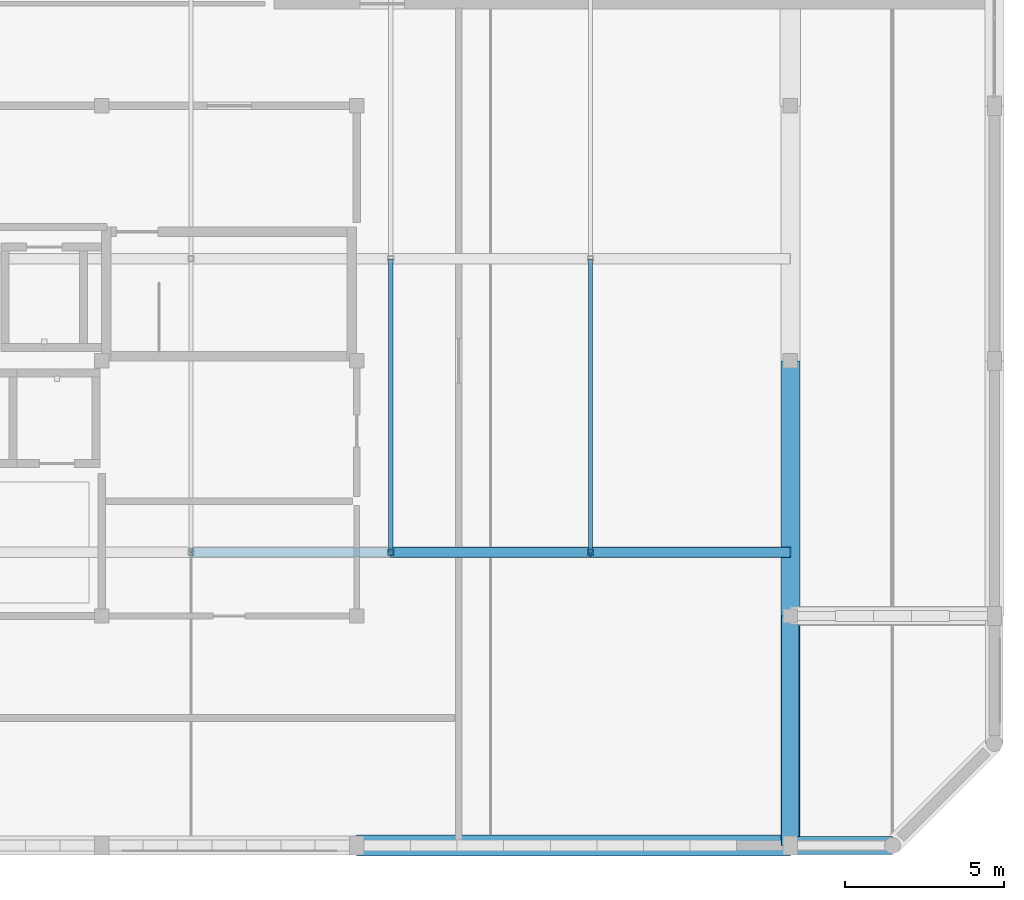
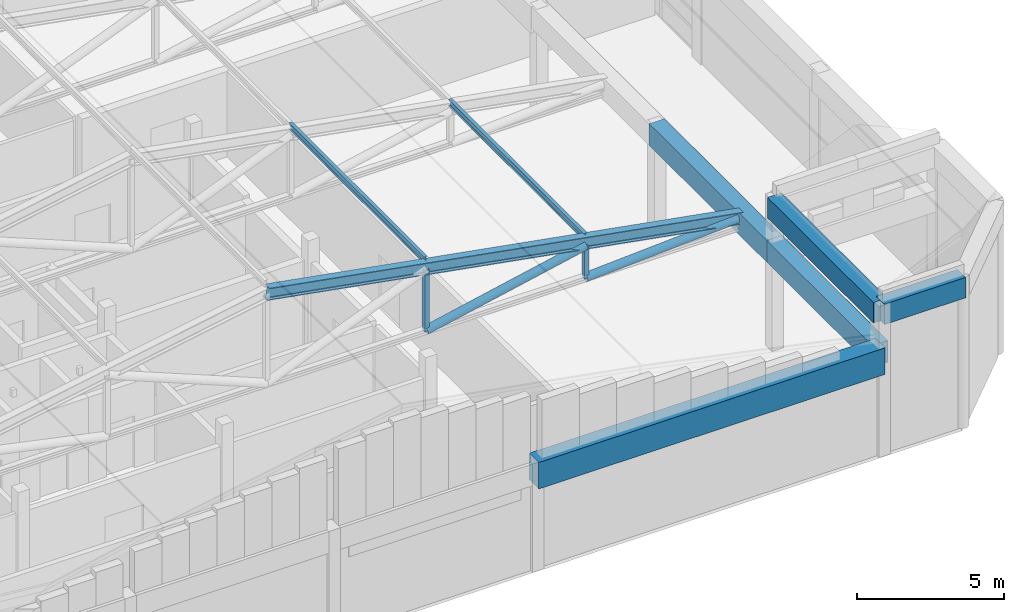
# One storey, part 12 of 24: 7 members, 5 beams.
"""IFC4 building model written with IfcOpenShell, lengths in metres."""

import ifcopenshell
import ifcopenshell.guid

model = None  # the IFC model being written
_history = None  # IfcOwnerHistory: only IFC2X3 demands one
_inside = {}  # id of a spatial element -> (the spatial element, [elements in it])
_under = {}  # id of a project, library or spatial element -> (it, [spatial elements below it])
_declared = {}  # id of a project -> (the project, [libraries it declares])
_typed = {}  # id of a type object -> (the type object, [elements of that type])
_made_of = {}  # id of a material, layer set ... -> (it, [elements and type objects made of it])


def new_model(schema):
    """Start an empty IFC model of exactly this schema.

    Asked for "IFC4X3", IfcOpenShell would pick the latest addendum, in which some entities
    have other attributes; the version numbers below select the first issue.
    IFC2X3 requires an IfcOwnerHistory on every rooted entity: one is made here for all.
    """
    global model, _history
    if schema == "IFC4X3":
        model = ifcopenshell.file(schema_version=(4, 3, 0, 0))
    else:
        model = ifcopenshell.file(schema=schema)
    _inside.clear()
    _under.clear()
    _declared.clear()
    _typed.clear()
    _made_of.clear()
    _history = None
    if model.schema == "IFC2X3":
        org = make("IfcOrganization", Name="unknown")
        user = make(
            "IfcPersonAndOrganization",
            ThePerson=make("IfcPerson", FamilyName="unknown"),
            TheOrganization=org,
        )
        app = make(
            "IfcApplication",
            ApplicationDeveloper=org,
            Version="unknown",
            ApplicationFullName="unknown",
            ApplicationIdentifier="unknown",
        )
        _history = make(
            "IfcOwnerHistory",
            OwningUser=user,
            OwningApplication=app,
            ChangeAction="ADDED",
            CreationDate=0,
        )
    return model


def make(cls, **values):
    """One entity of the class cls with the attributes given. An attribute that is None is left unset."""
    return model.create_entity(
        cls, **{name: value for name, value in values.items() if value is not None}
    )


def rooted(cls, **values):
    """An entity with a GlobalId (a new one), such as an element, a storey or a relation."""
    return make(cls, GlobalId=ifcopenshell.guid.new(), OwnerHistory=_history, **values)


def si_unit(unit_type, name, prefix=None):
    """IfcSIUnit, for example si_unit("LENGTHUNIT", "METRE", prefix="MILLI")."""
    return make("IfcSIUnit", UnitType=unit_type, Prefix=prefix, Name=name)


def assignment(units):
    """IfcUnitAssignment: the units of a project."""
    return None if units is None else make("IfcUnitAssignment", Units=units)


def point(xyz):
    """IfcCartesianPoint."""
    return None if xyz is None else make("IfcCartesianPoint", Coordinates=xyz)


def direction(xyz):
    """IfcDirection."""
    return None if xyz is None else make("IfcDirection", DirectionRatios=xyz)


def frame(location, z_axis=None, x_axis=None):
    """IfcAxis2Placement3D, a coordinate frame: its origin and axes. An axis left out is left unset."""
    return make(
        "IfcAxis2Placement3D",
        Location=point(location),
        Axis=direction(z_axis),
        RefDirection=direction(x_axis),
    )


def frame_2d(location, x_axis=None):
    """IfcAxis2Placement2D, a coordinate frame in the plane: its origin and x axis."""
    return make(
        "IfcAxis2Placement2D", Location=point(location), RefDirection=direction(x_axis)
    )


def origin():
    """The frame at (0, 0, 0) with its axes left unset."""
    return frame((0.0, 0.0, 0.0))


def origin_2d():
    """The frame at (0, 0) in the plane with its x axis left unset."""
    return frame_2d((0.0, 0.0))


def place(relative_to, where):
    """IfcLocalPlacement: puts the frame where relative to a parent placement (None: the world)."""
    return make(
        "IfcLocalPlacement", PlacementRelTo=relative_to, RelativePlacement=where
    )


def context(
    kind, dimensions, precision=None, world=None, true_north=None, identifier=None
):
    """IfcGeometricRepresentationContext, for example the 3D "Model" context."""
    return make(
        "IfcGeometricRepresentationContext",
        ContextIdentifier=identifier,
        ContextType=kind,
        CoordinateSpaceDimension=dimensions,
        Precision=precision,
        WorldCoordinateSystem=world,
        TrueNorth=true_north,
    )


def subcontext(parent, identifier, kind, view, scale=None):
    """IfcGeometricRepresentationSubContext, for example "Body" below "Model"."""
    return make(
        "IfcGeometricRepresentationSubContext",
        ContextIdentifier=identifier,
        ContextType=kind,
        ParentContext=parent,
        TargetScale=scale,
        TargetView=view,
    )


def project(units=None, contexts=None):
    """IfcProject with its units and contexts."""
    return rooted(
        "IfcProject",
        Name="project",
        RepresentationContexts=contexts,
        UnitsInContext=assignment(units),
    )


def spatial(cls, under=None, at=None, **own):
    """A site, building, storey or space (cls), placed at a placement, below another one or the project."""
    s = rooted(cls, ObjectPlacement=at, **own)
    if under is not None:
        _under.setdefault(under.id(), (under, []))[1].append(s)
    return s


def profile(cls, at=None, kind="AREA", **sizes):
    """A parametric profile (cls). Its sizes go by their IFC names, for example OverallWidth=200.0."""
    return make(cls, ProfileType=kind, Position=at, **sizes)


def rectangle(**sizes):
    """IfcRectangleProfileDef."""
    return profile("IfcRectangleProfileDef", **sizes)


def hollow_rectangle(**sizes):
    """IfcRectangleHollowProfileDef."""
    return profile("IfcRectangleHollowProfileDef", **sizes)


def hollow_circle(**sizes):
    """IfcCircleHollowProfileDef."""
    return profile("IfcCircleHollowProfileDef", **sizes)


def i_section(**sizes):
    """IfcIShapeProfileDef."""
    return profile("IfcIShapeProfileDef", **sizes)


def extrude(swept, where, along, depth):
    """IfcExtrudedAreaSolid: the profile swept, set in the frame where, extruded along a direction by depth."""
    return make(
        "IfcExtrudedAreaSolid",
        SweptArea=swept,
        Position=where,
        ExtrudedDirection=direction(along),
        Depth=depth,
    )


def shape(context_of_items, identifier, shape_type, items):
    """IfcShapeRepresentation: the items that make up one representation, for example the "Body"."""
    return make(
        "IfcShapeRepresentation",
        ContextOfItems=context_of_items,
        RepresentationIdentifier=identifier,
        RepresentationType=shape_type,
        Items=items,
    )


def material(Name=None, Category=None):
    """IfcMaterial."""
    return make("IfcMaterial", Name=Name, Category=Category)


def material_profile(
    of_material, cross_section, Name=None, Category=None, Priority=None
):
    """IfcMaterialProfile: a cross section and its material."""
    return make(
        "IfcMaterialProfile",
        Name=Name,
        Material=of_material,
        Profile=cross_section,
        Priority=Priority,
        Category=Category,
    )


def profile_set(profiles, Name=None, composite=None):
    """IfcMaterialProfileSet."""
    return make(
        "IfcMaterialProfileSet",
        Name=Name,
        MaterialProfiles=profiles,
        CompositeProfile=composite,
    )


def made_of(thing, what):
    """Note that an element or type object is made of a material, layer set ...; save() writes the relation."""
    if what is not None:
        _made_of.setdefault(what.id(), (what, []))[1].append(thing)
    return thing


def type_object(cls, material=None, **own):
    """A type object (cls), such as IfcWallType, which elements share."""
    return made_of(rooted(cls, **own), material)


def element(
    cls,
    number,
    at=None,
    inside=None,
    cuts=None,
    type_object=None,
    material=None,
    context=None,
    identifier="Body",
    shape_type=None,
    held_by="IfcProductDefinitionShape",
    body=None,
    shapes=None,
    **own,
):
    """One element of the class cls, such as IfcWall. Its Tag is "e" and its number.

    at: its placement. inside: the storey or other place that contains it. cuts: it is an
    opening in that element (IfcRelVoidsElement). A single representation is given by context,
    identifier, shape_type and body (its items); several are given by shapes. held_by: the class
    of the entity that holds the representations. save() writes the other relations.
    """
    e = rooted(cls, Tag="e%d" % number, ObjectPlacement=at, **own)
    if body is not None:
        shapes = [shape(context, identifier, shape_type, body)]
    if shapes is not None:
        e.Representation = make(held_by, Representations=shapes)
    if inside is not None:
        _inside.setdefault(inside.id(), (inside, []))[1].append(e)
    if cuts is not None:
        rooted(
            "IfcRelVoidsElement", RelatingBuildingElement=cuts, RelatedOpeningElement=e
        )
    if type_object is not None:
        _typed.setdefault(type_object.id(), (type_object, []))[1].append(e)
    return made_of(e, material)


def aggregate(whole, parts):
    """IfcRelAggregates: a whole, such as a stair, and the parts it consists of."""
    return rooted("IfcRelAggregates", RelatingObject=whole, RelatedObjects=parts)


def save(model, path):
    """Write the relations noted so far, then the file.

    IfcRelAggregates (storeys below a building ...), IfcRelContainedInSpatialStructure (elements
    in a storey), IfcRelDefinesByType, IfcRelAssociatesMaterial and IfcRelDeclares: one each for
    every whole, place, type object, material and project.
    """
    for whole, parts in _under.values():
        aggregate(whole, parts)
    for where, things in _inside.values():
        rooted(
            "IfcRelContainedInSpatialStructure",
            RelatedElements=things,
            RelatingStructure=where,
        )
    for kind, things in _typed.values():
        rooted("IfcRelDefinesByType", RelatedObjects=things, RelatingType=kind)
    for what, things in _made_of.values():
        rooted("IfcRelAssociatesMaterial", RelatedObjects=things, RelatingMaterial=what)
    for by, libraries in _declared.values():
        rooted("IfcRelDeclares", RelatingContext=by, RelatedDefinitions=libraries)
    model.write(path)


model = new_model("IFC4")

# Units and contexts
model_context = context("Model", 3, precision=1e-05, world=origin(), true_north=direction((0.0, 1.0)))
body_context = subcontext(model_context, "Body", "Model", "MODEL_VIEW")
ifc_project = project(units=[si_unit("LENGTHUNIT", "METRE"), si_unit("AREAUNIT", "SQUARE_METRE"), si_unit("VOLUMEUNIT", "CUBIC_METRE"), si_unit("PLANEANGLEUNIT", "RADIAN"), si_unit("MASSUNIT", "GRAM", prefix="KILO")], contexts=[model_context])

# Site, building, storey
site_placement = place(None, origin())
site = spatial("IfcSite", under=ifc_project, at=site_placement, CompositionType="ELEMENT")
building_placement = place(site_placement, origin())
building = spatial("IfcBuilding", under=site, at=building_placement, Name="Vellmiral Cinema and Media Centre", CompositionType="ELEMENT")
storey_placement = place(building_placement, frame((0.0, 0.0, 66.60009765625)))
storey = spatial("IfcBuildingStorey", under=building, at=storey_placement, Name="L16", CompositionType="ELEMENT", Elevation=66.60009765625)

# Members
ifc_material_1 = material(Name="Steel S355", Category="steel")
ifc_material_profile_1 = material_profile(ifc_material_1, i_section(OverallWidth=0.135009765625, OverallDepth=0.27001953125, WebThickness=0.006591796875, FlangeThickness=0.01025390625, FilletRadius=0.014892578125, at=origin_2d()), Name="IPE 270")
ifc_profile_set_1 = profile_set([ifc_material_profile_1], Name="Steel S355")
member_type_1 = type_object("IfcMemberType", Name="PRL-IPE270", PredefinedType="PURLIN", material=ifc_profile_set_1)
for number, where, z_axis, x_axis, name in (
    (1, (149.066650390625, 81.199951171875, 6.76611328125), (0.0, 1.0, 0.0), (-1.0, 0.0, 0.0), "Roof Purlin VR-CROWN.4.1"),
    (2, (155.333251953125, 81.199951171875, 5.548095703125), (0.0, 1.0, 0.0), (-1.0, 0.0, 0.0), "Roof Purlin VR-CROWN.5.1"),
):
    element("IfcMember", number, at=place(storey_placement, frame(where, z_axis=z_axis, x_axis=x_axis)), inside=storey, type_object=member_type_1, Name=name, PredefinedType="PURLIN", context=body_context, shape_type="SweptSolid", body=[
        extrude(i_section(OverallWidth=0.135009765625, OverallDepth=0.27001953125, WebThickness=0.006591796875, FlangeThickness=0.01025390625, FilletRadius=0.014892578125, at=origin_2d()), origin(), (0.0, 0.0, 1.0), 9.199951171875),
    ])

# Beams
ifc_material_2 = material(Name="Concrete C40/50", Category="concrete")
ifc_material_profile_2 = material_profile(ifc_material_2, rectangle(XDim=0.550048828125, YDim=0.85009765625, at=origin_2d()), Name="RC 550x850")
ifc_profile_set_2 = profile_set([ifc_material_profile_2], Name="Concrete C40/50")
beam_type_1 = type_object("IfcBeamType", Name="RING-BM-550x850", PredefinedType="BEAM", material=ifc_profile_set_2)
beam_1_placement = place(storey_placement, frame((161.60009765625, 72.0, 5.85498046875), z_axis=(1.0, 0.0, 0.0), x_axis=(0.0, 1.0, 0.0)))
element("IfcBeam", 3, at=beam_1_placement, inside=storey, type_object=beam_type_1, Name="Torratxa Turret Ring Beam SE-01", PredefinedType="BEAM", context=body_context, shape_type="SweptSolid", body=[
    extrude(rectangle(XDim=0.550048828125, YDim=0.85009765625, at=origin_2d()), origin(), (0.0, 0.0, 1.0), 3.199951171875),
])
beam_2_placement = place(storey_placement, frame((161.60009765625, 72.0, 5.85498046875), z_axis=(0.0, 1.0, 0.0), x_axis=(-1.0, 0.0, 0.0)))
element("IfcBeam", 4, at=beam_2_placement, inside=storey, type_object=beam_type_1, Name="Torratxa Turret Ring Beam SE-03", PredefinedType="BEAM", context=body_context, shape_type="SweptSolid", body=[
    extrude(rectangle(XDim=0.550048828125, YDim=0.85009765625, at=origin_2d()), origin(), (0.0, 0.0, 1.0), 7.199951171875),
])
ifc_material_3 = material(Name="Concrete C40/50", Category="concrete")
ifc_material_profile_3 = material_profile(ifc_material_3, rectangle(XDim=0.60009765625, YDim=0.89990234375, at=origin_2d()), Name="RC 600x900")
ifc_profile_set_3 = profile_set([ifc_material_profile_3], Name="Concrete C40/50")
beam_type_2 = type_object("IfcBeamType", Name="RING-BM-600x900", PredefinedType="BEAM", material=ifc_profile_set_3)
beam_3_placement = place(storey_placement, frame((161.60009765625, 72.0, 4.0498046875), z_axis=(0.0, 1.0, 0.0), x_axis=(-1.0, 0.0, 0.0)))
element("IfcBeam", 5, at=beam_3_placement, inside=storey, type_object=beam_type_2, Name="Tower Crown Catalan Barrel Vault Ring Beam 13", PredefinedType="BEAM", context=body_context, shape_type="SweptSolid", body=[
    extrude(rectangle(XDim=0.60009765625, YDim=0.89990234375, at=origin_2d()), origin(), (0.0, 0.0, 1.0), 7.199951171875),
])
beam_4_placement = place(storey_placement, frame((161.60009765625, 79.199951171875, 4.0498046875), z_axis=(0.0, 1.0, 0.0), x_axis=(-1.0, 0.0, 0.0)))
element("IfcBeam", 6, at=beam_4_placement, inside=storey, type_object=beam_type_2, Name="Tower Crown Catalan Barrel Vault Ring Beam 14", PredefinedType="BEAM", context=body_context, shape_type="SweptSolid", body=[
    extrude(rectangle(XDim=0.60009765625, YDim=0.89990234375, at=origin_2d()), origin(), (0.0, 0.0, 1.0), 8.0),
])
ifc_material_4 = material(Name="Concrete C40/50", Category="concrete")
ifc_material_profile_4 = material_profile(ifc_material_4, rectangle(XDim=0.64990234375, YDim=1.10009765625, at=origin_2d()), Name="RC 650x1100")
ifc_profile_set_4 = profile_set([ifc_material_profile_4], Name="Concrete C40/50")
beam_type_3 = type_object("IfcBeamType", Name="RING-BMG-650x1100", PredefinedType="BEAM", material=ifc_profile_set_4)
beam_5_placement = place(storey_placement, frame((148.0, 72.0, 3.949951171875), z_axis=(1.0, 0.0, 0.0), x_axis=(0.0, 1.0, 0.0)))
element("IfcBeam", 7, at=beam_5_placement, inside=storey, type_object=beam_type_3, Name="Tower Crown Catalan Barrel Vault Ring Beam 04", PredefinedType="BEAM", context=body_context, shape_type="SweptSolid", body=[
    extrude(rectangle(XDim=0.64990234375, YDim=1.10009765625, at=origin_2d()), origin(), (0.0, 0.0, 1.0), 13.60009765625),
])

# Members
ifc_material_5 = material(Name="Steel S355", Category="steel")
ifc_material_profile_5 = material_profile(ifc_material_5, hollow_circle(Radius=0.161865234375, WallThickness=0.012451171875, at=origin_2d()), Name="CHS 323.9x12.5")
ifc_profile_set_5 = profile_set([ifc_material_profile_5], Name="Steel S355")
member_type_2 = type_object("IfcMemberType", Name="TBR-CHS324", PredefinedType="BRACE", material=ifc_profile_set_5)
member_1_placement = place(storey_placement, frame((149.066650390625, 81.199951171875, 3.849853515625), z_axis=(0.978270681797, 0.0, 0.207331794802), x_axis=(0.0, 1.0, 0.0)))
element("IfcMember", 8, at=member_1_placement, inside=storey, type_object=member_type_2, Name="Roof Truss TR-10.1 Diagonal 5", PredefinedType="BRACE", context=body_context, shape_type="SweptSolid", body=[
    extrude(hollow_circle(Radius=0.161865234375, WallThickness=0.012451171875, at=origin_2d()), origin(), (0.0, 0.0, 1.0), 6.40576171875),
])
member_2_placement = place(storey_placement, frame((155.333251953125, 81.199951171875, 3.849853515625), z_axis=(0.998214457689, 0.0, 0.059731871402), x_axis=(0.0, 1.0, 0.0)))
element("IfcMember", 9, at=member_2_placement, inside=storey, type_object=member_type_2, Name="Roof Truss TR-10.1 Diagonal 6", PredefinedType="BRACE", context=body_context, shape_type="SweptSolid", body=[
    extrude(hollow_circle(Radius=0.161865234375, WallThickness=0.012451171875, at=origin_2d()), origin(), (0.0, 0.0, 1.0), 6.278076171875),
])
ifc_material_6 = material(Name="Steel S355", Category="steel")
ifc_material_profile_6 = material_profile(ifc_material_6, hollow_rectangle(XDim=0.179931640625, YDim=0.179931640625, WallThickness=0.010009765625, at=origin_2d()), Name="SHS 180x180x10.0")
ifc_profile_set_6 = profile_set([ifc_material_profile_6], Name="Steel S355")
member_type_3 = type_object("IfcMemberType", Name="TBR-SHS180", PredefinedType="BRACE", material=ifc_profile_set_6)
member_3_placement = place(storey_placement, frame((149.066650390625, 81.199951171875, 3.849853515625), z_axis=(0.0, 0.0, 1.0), x_axis=(1.0, 0.0, 0.0)))
element("IfcMember", 10, at=member_3_placement, inside=storey, type_object=member_type_3, Name="Roof Truss TR-10.1 Post 4", PredefinedType="BRACE", context=body_context, shape_type="SweptSolid", body=[
    extrude(hollow_rectangle(XDim=0.179931640625, YDim=0.179931640625, WallThickness=0.010009765625, at=origin_2d()), origin(), (0.0, 0.0, 1.0), 2.546142578125),
])
member_4_placement = place(storey_placement, frame((155.333251953125, 81.199951171875, 3.849853515625), z_axis=(0.0, 0.0, 1.0), x_axis=(1.0, 0.0, 0.0)))
element("IfcMember", 11, at=member_4_placement, inside=storey, type_object=member_type_3, Name="Roof Truss TR-10.1 Post 5", PredefinedType="BRACE", context=body_context, shape_type="SweptSolid", body=[
    extrude(hollow_rectangle(XDim=0.179931640625, YDim=0.179931640625, WallThickness=0.010009765625, at=origin_2d()), origin(), (0.0, 0.0, 1.0), 1.328125),
])
ifc_material_7 = material(Name="Steel S355", Category="steel")
ifc_material_profile_7 = material_profile(ifc_material_7, i_section(OverallWidth=0.300048828125, OverallDepth=0.489990234375, WebThickness=0.011962890625, FlangeThickness=0.02294921875, FilletRadius=0.027099609375, at=origin_2d()), Name="HEA 500")
ifc_profile_set_7 = profile_set([ifc_material_profile_7], Name="Steel S355")
member_type_4 = type_object("IfcMemberType", Name="TCH-HEA500", PredefinedType="CHORD", material=ifc_profile_set_7)
member_5_placement = place(storey_placement, frame((142.800048828125, 81.199951171875, 7.6142578125), z_axis=(0.984134042087, 0.0, -0.177426568486), x_axis=(0.0, 1.0, 0.0)))
element("IfcMember", 12, at=member_5_placement, inside=storey, type_object=member_type_4, Name="Roof Truss TR-10.1 Top Chord E", PredefinedType="CHORD", context=body_context, shape_type="SweptSolid", body=[
    extrude(i_section(OverallWidth=0.300048828125, OverallDepth=0.489990234375, WebThickness=0.011962890625, FlangeThickness=0.02294921875, FilletRadius=0.027099609375, at=origin_2d()), origin(), (0.0, 0.0, 1.0), 19.10302734375),
])

save(model, "model.ifc")
